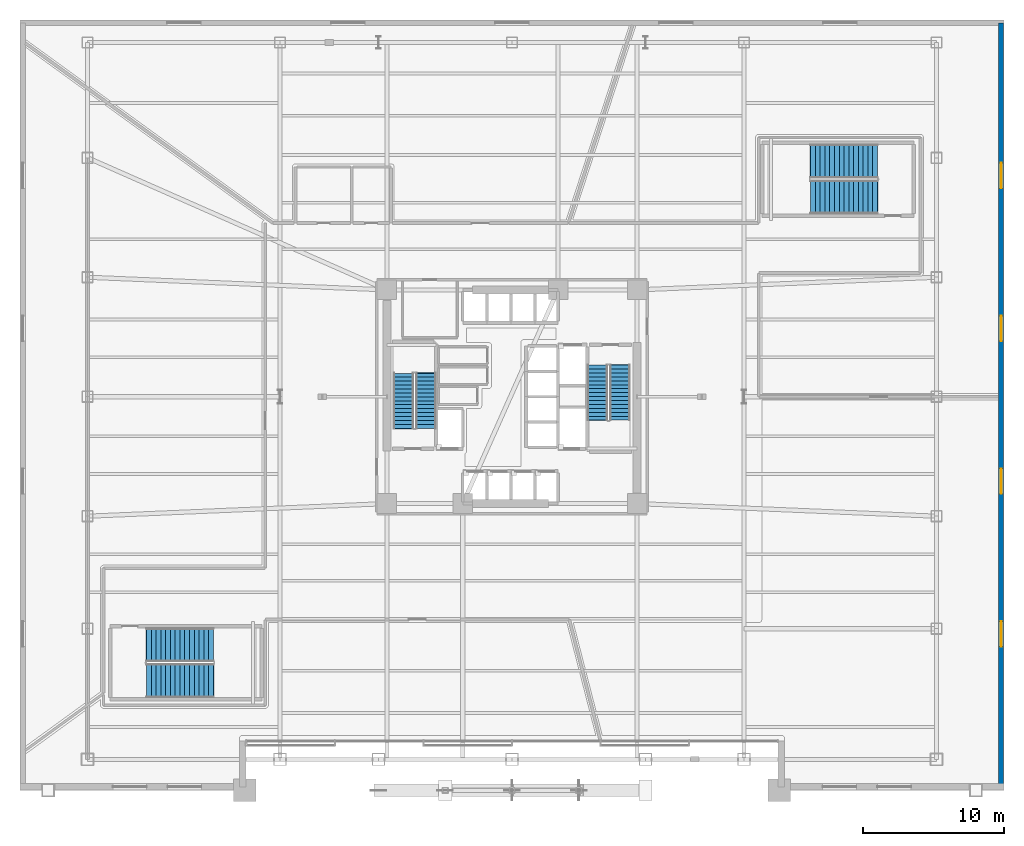
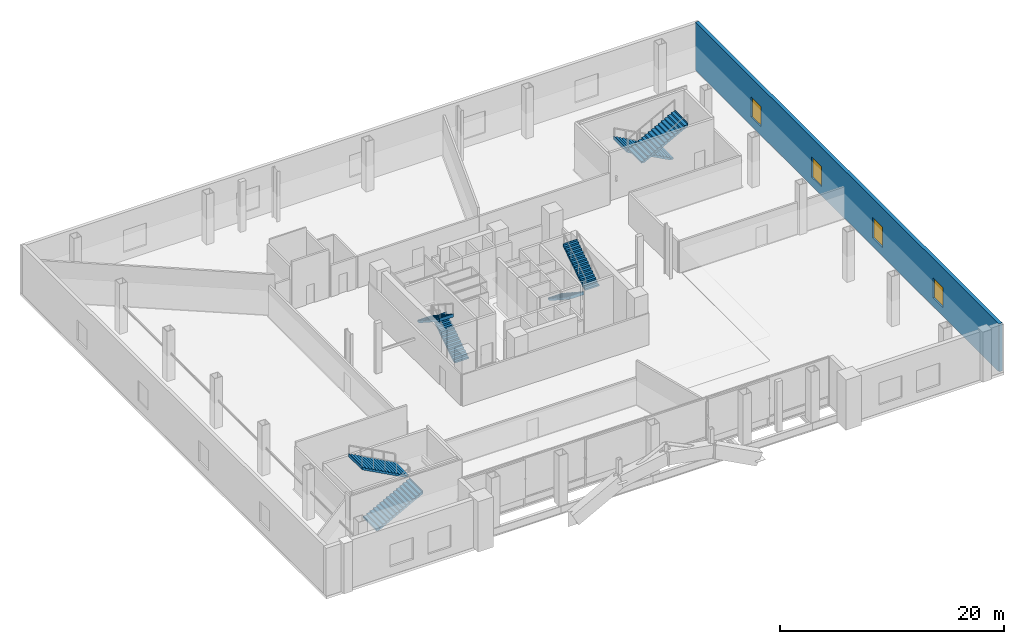
# One storey, part 11 of 19: 8 stair flights, 4 windows, 1 wall, 4 openings, 4 elements without a shape of their own.
"""IFC4 building model written with IfcOpenShell, lengths in metres."""

from ifc_helpers import new_model, si_unit, direction, frame, frame_2d, origin, place, context, subcontext, project, spatial, polyline, rectangle, outline, extrude, material, layer, layer_set, type_object, element, fill, aggregate, save


model = new_model("IFC4")

# Units and contexts
model_context = context("Model", 3, precision=1e-05, world=origin(), true_north=direction((0.0, 1.0)))
body_context = subcontext(model_context, "Body", "Model", "MODEL_VIEW")
ifc_project = project(units=[si_unit("LENGTHUNIT", "METRE"), si_unit("AREAUNIT", "SQUARE_METRE"), si_unit("VOLUMEUNIT", "CUBIC_METRE"), si_unit("PLANEANGLEUNIT", "RADIAN"), si_unit("MASSUNIT", "GRAM", prefix="KILO")], contexts=[model_context])

# Site, building, storey
site_placement = place(None, origin())
site = spatial("IfcSite", under=ifc_project, at=site_placement, CompositionType="ELEMENT")
building_placement = place(site_placement, origin())
building = spatial("IfcBuilding", under=site, at=building_placement, Name="Tharavind Bronze Gate", CompositionType="ELEMENT")
storey_placement = place(building_placement, frame((0.0, 0.0, 11.0)))
storey = spatial("IfcBuildingStorey", under=building, at=storey_placement, Name="L02", CompositionType="ELEMENT", Elevation=11.0)

# Wall, openings, windows
ifc_material_1 = material(Name="Concrete C40/50", Category="concrete")
ifc_layer = layer(ifc_material_1, 0.35009765625)
ifc_layer_set = layer_set([ifc_layer], Name="Concrete C40/50")
wall_type = type_object("IfcWallType", Name="EXTERIOR SPANDREL WALL 350", PredefinedType="STANDARD", material=ifc_layer_set)
wall_placement = place(storey_placement, frame((34.800048828125, -27.75, 0.0), z_axis=(0.0, 0.0, 1.0), x_axis=(0.0, 1.0, 0.0)))
wall = element("IfcWall", 1, at=wall_placement, inside=storey, type_object=wall_type, Name="L02 podium east facade wall", PredefinedType="STANDARD", context=body_context, shape_type="SweptSolid", body=[
    extrude(rectangle(XDim=54.35009765625, YDim=0.35009765625, at=frame_2d((27.175048828125, 0.0))), origin(), (0.0, 0.0, 1.0), 5.239990234375),
])
opening_1_placement = place(wall_placement, frame((9.969970703125, 0.0, 0.949951171875)))
opening_1 = element("IfcOpeningElement", 2, at=opening_1_placement, cuts=wall, Name="Opening W02", PredefinedType="OPENING", context=body_context, shape_type="SweptSolid", body=[
    extrude(rectangle(XDim=1.800048828125, YDim=2.199951171875, at=frame_2d((0.89990234375, 1.10009765625))), frame((0.0, 0.185048828125, 0.0), z_axis=(0.0, -1.0, 0.0), x_axis=(1.0, 0.0, 0.0)), (0.0, 0.0, 1.0), 0.37009765625),
])
opening_2_placement = place(wall_placement, frame((20.840087890625, 0.0, 0.949951171875)))
opening_2 = element("IfcOpeningElement", 3, at=opening_2_placement, cuts=wall, Name="Opening W02", PredefinedType="OPENING", context=body_context, shape_type="SweptSolid", body=[
    extrude(rectangle(XDim=1.800048828125, YDim=2.199951171875, at=frame_2d((0.89990234375, 1.10009765625))), frame((0.0, 0.185048828125, 0.0), z_axis=(0.0, -1.0, 0.0), x_axis=(1.0, 0.0, 0.0)), (0.0, 0.0, 1.0), 0.37009765625),
])
opening_3_placement = place(wall_placement, frame((31.7099609375, 0.0, 0.949951171875)))
opening_3 = element("IfcOpeningElement", 4, at=opening_3_placement, cuts=wall, Name="Opening W02", PredefinedType="OPENING", context=body_context, shape_type="SweptSolid", body=[
    extrude(rectangle(XDim=1.800048828125, YDim=2.199951171875, at=frame_2d((0.89990234375, 1.10009765625))), frame((0.0, 0.185048828125, 0.0), z_axis=(0.0, -1.0, 0.0), x_axis=(1.0, 0.0, 0.0)), (0.0, 0.0, 1.0), 0.37009765625),
])
opening_4_placement = place(wall_placement, frame((42.580078125, 0.0, 0.949951171875)))
opening_4 = element("IfcOpeningElement", 5, at=opening_4_placement, cuts=wall, Name="Opening W02", PredefinedType="OPENING", context=body_context, shape_type="SweptSolid", body=[
    extrude(rectangle(XDim=1.800048828125, YDim=2.199951171875, at=frame_2d((0.89990234375, 1.10009765625))), frame((0.0, 0.185048828125, 0.0), z_axis=(0.0, -1.0, 0.0), x_axis=(1.0, 0.0, 0.0)), (0.0, 0.0, 1.0), 0.37009765625),
])
ifc_material_2 = material(Name="Bronze Aluminium & Low-E Glass", Category="aluminium")
window_type = type_object("IfcWindowType", Name="DOUBLE PANEL BRONZE WINDOW 1800X2200", PartitioningType="DOUBLE_PANEL_VERTICAL", PredefinedType="WINDOW", material=ifc_material_2)
window_1_placement = place(opening_1_placement, origin())
window_1 = element("IfcWindow", 6, at=window_1_placement, inside=storey, type_object=window_type, Name="L02 exterior window WL-L02-EA-01", OverallHeight=2.199951171875, OverallWidth=1.800048828125, PartitioningType="SINGLE_PANEL", PredefinedType="WINDOW", context=body_context, shape_type="SweptSolid", body=[
    extrude(rectangle(XDim=1.800048828125, YDim=2.199951171875, at=frame_2d((0.89990234375, 1.10009765625))), frame((0.0, 0.030029296875, 0.0), z_axis=(0.0, -1.0, 0.0), x_axis=(1.0, 0.0, 0.0)), (0.0, 0.0, 1.0), 0.06005859375),
])
fill(opening_1, window_1)
window_2_placement = place(opening_2_placement, origin())
window_2 = element("IfcWindow", 7, at=window_2_placement, inside=storey, type_object=window_type, Name="L02 exterior window WL-L02-EA-02", OverallHeight=2.199951171875, OverallWidth=1.800048828125, PartitioningType="SINGLE_PANEL", PredefinedType="WINDOW", context=body_context, shape_type="SweptSolid", body=[
    extrude(rectangle(XDim=1.800048828125, YDim=2.199951171875, at=frame_2d((0.89990234375, 1.10009765625))), frame((0.0, 0.030029296875, 0.0), z_axis=(0.0, -1.0, 0.0), x_axis=(1.0, 0.0, 0.0)), (0.0, 0.0, 1.0), 0.06005859375),
])
fill(opening_2, window_2)
window_3_placement = place(opening_3_placement, origin())
window_3 = element("IfcWindow", 8, at=window_3_placement, inside=storey, type_object=window_type, Name="L02 exterior window WL-L02-EA-03", OverallHeight=2.199951171875, OverallWidth=1.800048828125, PartitioningType="SINGLE_PANEL", PredefinedType="WINDOW", context=body_context, shape_type="SweptSolid", body=[
    extrude(rectangle(XDim=1.800048828125, YDim=2.199951171875, at=frame_2d((0.89990234375, 1.10009765625))), frame((0.0, 0.030029296875, 0.0), z_axis=(0.0, -1.0, 0.0), x_axis=(1.0, 0.0, 0.0)), (0.0, 0.0, 1.0), 0.06005859375),
])
fill(opening_3, window_3)
window_4_placement = place(opening_4_placement, origin())
window_4 = element("IfcWindow", 9, at=window_4_placement, inside=storey, type_object=window_type, Name="L02 exterior window WL-L02-EA-04", OverallHeight=2.199951171875, OverallWidth=1.800048828125, PartitioningType="SINGLE_PANEL", PredefinedType="WINDOW", context=body_context, shape_type="SweptSolid", body=[
    extrude(rectangle(XDim=1.800048828125, YDim=2.199951171875, at=frame_2d((0.89990234375, 1.10009765625))), frame((0.0, 0.030029296875, 0.0), z_axis=(0.0, -1.0, 0.0), x_axis=(1.0, 0.0, 0.0)), (0.0, 0.0, 1.0), 0.06005859375),
])
fill(opening_4, window_4)

# Stair, stair flights
stair_type_1 = type_object("IfcStairType", Name="CORE HALF TURN STAIR 1450", PredefinedType="HALF_TURN_STAIR", material=ifc_material_1)
stair_1_placement = place(storey_placement, origin())
stair_1 = element("IfcStair", 10, at=stair_1_placement, inside=storey, type_object=stair_type_1, Name="L02 Protected Exit Stair ST1", PredefinedType="HALF_TURN_STAIR")
stair_flight_type_1 = type_object("IfcStairFlightType", Name="CORE STAIR FLIGHT 1450", PredefinedType="STRAIGHT", material=ifc_material_1)
stair_flight_1_placement = place(storey_placement, frame((-6.125, -2.25, 0.0), z_axis=(0.0, 0.0, 1.0), x_axis=(0.0, 1.0, 0.0)))
stair_flight_1 = element("IfcStairFlight", 11, at=stair_flight_1_placement, type_object=stair_flight_type_1, Name="ST1 flight 1", NumberOfRisers=15, NumberOfTreads=14, PredefinedType="STRAIGHT", RiserHeight=0.183333333, TreadLength=0.28, context=body_context, shape_type="SweptSolid", body=[
    extrude(outline(polyline([(0.0, 0.0), (0.0, 0.183349609375), (0.280029296875, 0.183349609375), (0.280029296875, 0.36669921875), (0.56005859375, 0.36669921875), (0.56005859375, 0.550048828125), (0.840087890625, 0.550048828125), (0.840087890625, 0.7333984375), (1.1201171875, 0.7333984375), (1.1201171875, 0.916748046875), (1.39990234375, 0.916748046875), (1.39990234375, 1.10009765625), (1.679931640625, 1.10009765625), (1.679931640625, 1.283447265625), (1.9599609375, 1.283447265625), (1.9599609375, 1.466552734375), (2.239990234375, 1.466552734375), (2.239990234375, 1.64990234375), (2.52001953125, 1.64990234375), (2.52001953125, 1.833251953125), (2.800048828125, 1.833251953125), (2.800048828125, 2.0166015625), (3.080078125, 2.0166015625), (3.080078125, 2.199951171875), (3.360107421875, 2.199951171875), (3.360107421875, 2.38330078125), (3.639892578125, 2.38330078125), (3.639892578125, 2.566650390625), (3.919921875, 2.566650390625), (3.919921875, 2.75), (3.9560546875, 2.75), (3.9560546875, 2.387451171875), (0.273681640625, 0.0), (0.0, 0.0)])), frame((0.0, 0.72509765625, 0.0), z_axis=(0.0, -1.0, 0.0), x_axis=(1.0, 0.0, 0.0)), (0.0, 0.0, 1.0), 1.449951171875),
])
stair_flight_2_placement = place(storey_placement, frame((-7.72509765625, 1.669921875, 2.75), z_axis=(0.0, 0.0, 1.0), x_axis=(0.0, -1.0, 0.0)))
stair_flight_2 = element("IfcStairFlight", 12, at=stair_flight_2_placement, type_object=stair_flight_type_1, Name="ST1 flight 2", NumberOfRisers=15, NumberOfTreads=14, PredefinedType="STRAIGHT", RiserHeight=0.183333333, TreadLength=0.28, context=body_context, shape_type="SweptSolid", body=[
    extrude(outline(polyline([(0.0, 0.0), (0.0, 0.183349609375), (0.280029296875, 0.183349609375), (0.280029296875, 0.36669921875), (0.56005859375, 0.36669921875), (0.56005859375, 0.550048828125), (0.840087890625, 0.550048828125), (0.840087890625, 0.7333984375), (1.1201171875, 0.7333984375), (1.1201171875, 0.916748046875), (1.39990234375, 0.916748046875), (1.39990234375, 1.10009765625), (1.679931640625, 1.10009765625), (1.679931640625, 1.283447265625), (1.9599609375, 1.283447265625), (1.9599609375, 1.466552734375), (2.239990234375, 1.466552734375), (2.239990234375, 1.64990234375), (2.52001953125, 1.64990234375), (2.52001953125, 1.833251953125), (2.800048828125, 1.833251953125), (2.800048828125, 2.0166015625), (3.080078125, 2.0166015625), (3.080078125, 2.199951171875), (3.360107421875, 2.199951171875), (3.360107421875, 2.38330078125), (3.639892578125, 2.38330078125), (3.639892578125, 2.566650390625), (3.919921875, 2.566650390625), (3.919921875, 2.75), (3.9560546875, 2.75), (3.9560546875, 2.387451171875), (0.273681640625, 0.0), (0.0, 0.0)])), frame((0.0, 0.72509765625, 0.0), z_axis=(0.0, -1.0, 0.0), x_axis=(1.0, 0.0, 0.0)), (0.0, 0.0, 1.0), 1.449951171875),
])
aggregate(stair_1, [stair_flight_1, stair_flight_2])

stair_2_placement = place(storey_placement, origin())
stair_2 = element("IfcStair", 13, at=stair_2_placement, inside=storey, type_object=stair_type_1, Name="L02 Protected Exit Stair ST2", PredefinedType="HALF_TURN_STAIR")
stair_flight_3_placement = place(storey_placement, frame((6.074951171875, 2.25, 0.0), z_axis=(0.0, 0.0, 1.0), x_axis=(0.0, -1.0, 0.0)))
stair_flight_3 = element("IfcStairFlight", 14, at=stair_flight_3_placement, type_object=stair_flight_type_1, Name="ST2 flight 1", NumberOfRisers=15, NumberOfTreads=14, PredefinedType="STRAIGHT", RiserHeight=0.183333333, TreadLength=0.28, context=body_context, shape_type="SweptSolid", body=[
    extrude(outline(polyline([(0.0, 0.0), (0.0, 0.183349609375), (0.280029296875, 0.183349609375), (0.280029296875, 0.36669921875), (0.56005859375, 0.36669921875), (0.56005859375, 0.550048828125), (0.840087890625, 0.550048828125), (0.840087890625, 0.7333984375), (1.1201171875, 0.7333984375), (1.1201171875, 0.916748046875), (1.39990234375, 0.916748046875), (1.39990234375, 1.10009765625), (1.679931640625, 1.10009765625), (1.679931640625, 1.283447265625), (1.9599609375, 1.283447265625), (1.9599609375, 1.466552734375), (2.239990234375, 1.466552734375), (2.239990234375, 1.64990234375), (2.52001953125, 1.64990234375), (2.52001953125, 1.833251953125), (2.800048828125, 1.833251953125), (2.800048828125, 2.0166015625), (3.080078125, 2.0166015625), (3.080078125, 2.199951171875), (3.360107421875, 2.199951171875), (3.360107421875, 2.38330078125), (3.639892578125, 2.38330078125), (3.639892578125, 2.566650390625), (3.919921875, 2.566650390625), (3.919921875, 2.75), (3.9560546875, 2.75), (3.9560546875, 2.387451171875), (0.273681640625, 0.0), (0.0, 0.0)])), frame((0.0, 0.72509765625, 0.0), z_axis=(0.0, -1.0, 0.0), x_axis=(1.0, 0.0, 0.0)), (0.0, 0.0, 1.0), 1.449951171875),
])
stair_flight_4_placement = place(storey_placement, frame((7.675048828125, -1.669921875, 2.75), z_axis=(0.0, 0.0, 1.0), x_axis=(0.0, 1.0, 0.0)))
stair_flight_4 = element("IfcStairFlight", 15, at=stair_flight_4_placement, type_object=stair_flight_type_1, Name="ST2 flight 2", NumberOfRisers=15, NumberOfTreads=14, PredefinedType="STRAIGHT", RiserHeight=0.183333333, TreadLength=0.28, context=body_context, shape_type="SweptSolid", body=[
    extrude(outline(polyline([(0.0, 0.0), (0.0, 0.183349609375), (0.280029296875, 0.183349609375), (0.280029296875, 0.36669921875), (0.56005859375, 0.36669921875), (0.56005859375, 0.550048828125), (0.840087890625, 0.550048828125), (0.840087890625, 0.7333984375), (1.1201171875, 0.7333984375), (1.1201171875, 0.916748046875), (1.39990234375, 0.916748046875), (1.39990234375, 1.10009765625), (1.679931640625, 1.10009765625), (1.679931640625, 1.283447265625), (1.9599609375, 1.283447265625), (1.9599609375, 1.466552734375), (2.239990234375, 1.466552734375), (2.239990234375, 1.64990234375), (2.52001953125, 1.64990234375), (2.52001953125, 1.833251953125), (2.800048828125, 1.833251953125), (2.800048828125, 2.0166015625), (3.080078125, 2.0166015625), (3.080078125, 2.199951171875), (3.360107421875, 2.199951171875), (3.360107421875, 2.38330078125), (3.639892578125, 2.38330078125), (3.639892578125, 2.566650390625), (3.919921875, 2.566650390625), (3.919921875, 2.75), (3.9560546875, 2.75), (3.9560546875, 2.387451171875), (0.273681640625, 0.0), (0.0, 0.0)])), frame((0.0, 0.72509765625, 0.0), z_axis=(0.0, -1.0, 0.0), x_axis=(1.0, 0.0, 0.0)), (0.0, 0.0, 1.0), 1.449951171875),
])
aggregate(stair_2, [stair_flight_3, stair_flight_4])

stair_type_2 = type_object("IfcStairType", Name="PODIUM HALF TURN STAIR 2400", PredefinedType="HALF_TURN_STAIR", material=ifc_material_1)
stair_3_placement = place(storey_placement, origin())
stair_3 = element("IfcStair", 16, at=stair_3_placement, inside=storey, type_object=stair_type_2, Name="L02 Protected Exit Stair ST3", PredefinedType="HALF_TURN_STAIR")
stair_flight_type_2 = type_object("IfcStairFlightType", Name="PODIUM STAIR FLIGHT 2400", PredefinedType="STRAIGHT", material=ifc_material_1)
stair_flight_5_placement = place(storey_placement, frame((-26.0, -20.199951171875, 0.0), z_axis=(0.0, 0.0, 1.0), x_axis=(1.0, 0.0, 0.0)))
stair_flight_5 = element("IfcStairFlight", 17, at=stair_flight_5_placement, type_object=stair_flight_type_2, Name="ST3 flight 1", NumberOfRisers=15, NumberOfTreads=14, PredefinedType="STRAIGHT", RiserHeight=0.183333333, TreadLength=0.34, context=body_context, shape_type="SweptSolid", body=[
    extrude(outline(polyline([(0.0, 0.0), (0.0, 0.183349609375), (0.340087890625, 0.183349609375), (0.340087890625, 0.36669921875), (0.679931640625, 0.36669921875), (0.679931640625, 0.550048828125), (1.02001953125, 0.550048828125), (1.02001953125, 0.7333984375), (1.360107421875, 0.7333984375), (1.360107421875, 0.916748046875), (1.699951171875, 0.916748046875), (1.699951171875, 1.10009765625), (2.0400390625, 1.10009765625), (2.0400390625, 1.283447265625), (2.3798828125, 1.283447265625), (2.3798828125, 1.466552734375), (2.719970703125, 1.466552734375), (2.719970703125, 1.64990234375), (3.06005859375, 1.64990234375), (3.06005859375, 1.833251953125), (3.39990234375, 1.833251953125), (3.39990234375, 2.0166015625), (3.739990234375, 2.0166015625), (3.739990234375, 2.199951171875), (4.080078125, 2.199951171875), (4.080078125, 2.38330078125), (4.419921875, 2.38330078125), (4.419921875, 2.566650390625), (4.760009765625, 2.566650390625), (4.760009765625, 2.75), (4.7958984375, 2.75), (4.7958984375, 2.396240234375), (0.31591796875, 0.0), (0.0, 0.0)])), frame((0.0, 1.199951171875, 0.0), z_axis=(0.0, -1.0, 0.0), x_axis=(1.0, 0.0, 0.0)), (0.0, 0.0, 1.0), 2.39990234375),
])
stair_flight_6_placement = place(storey_placement, frame((-21.239990234375, -17.64990234375, 2.75), z_axis=(0.0, 0.0, 1.0), x_axis=(-1.0, 0.0, 0.0)))
stair_flight_6 = element("IfcStairFlight", 18, at=stair_flight_6_placement, type_object=stair_flight_type_2, Name="ST3 flight 2", NumberOfRisers=15, NumberOfTreads=14, PredefinedType="STRAIGHT", RiserHeight=0.183333333, TreadLength=0.34, context=body_context, shape_type="SweptSolid", body=[
    extrude(outline(polyline([(0.0, 0.0), (0.0, 0.183349609375), (0.340087890625, 0.183349609375), (0.340087890625, 0.36669921875), (0.679931640625, 0.36669921875), (0.679931640625, 0.550048828125), (1.02001953125, 0.550048828125), (1.02001953125, 0.7333984375), (1.360107421875, 0.7333984375), (1.360107421875, 0.916748046875), (1.699951171875, 0.916748046875), (1.699951171875, 1.10009765625), (2.0400390625, 1.10009765625), (2.0400390625, 1.283447265625), (2.3798828125, 1.283447265625), (2.3798828125, 1.466552734375), (2.719970703125, 1.466552734375), (2.719970703125, 1.64990234375), (3.06005859375, 1.64990234375), (3.06005859375, 1.833251953125), (3.39990234375, 1.833251953125), (3.39990234375, 2.0166015625), (3.739990234375, 2.0166015625), (3.739990234375, 2.199951171875), (4.080078125, 2.199951171875), (4.080078125, 2.38330078125), (4.419921875, 2.38330078125), (4.419921875, 2.566650390625), (4.760009765625, 2.566650390625), (4.760009765625, 2.75), (4.7958984375, 2.75), (4.7958984375, 2.396240234375), (0.31591796875, 0.0), (0.0, 0.0)])), frame((0.0, 1.199951171875, 0.0), z_axis=(0.0, -1.0, 0.0), x_axis=(1.0, 0.0, 0.0)), (0.0, 0.0, 1.0), 2.39990234375),
])
aggregate(stair_3, [stair_flight_5, stair_flight_6])

stair_4_placement = place(storey_placement, origin())
stair_4 = element("IfcStair", 19, at=stair_4_placement, inside=storey, type_object=stair_type_2, Name="L02 Protected Exit Stair ST4", PredefinedType="HALF_TURN_STAIR")
stair_flight_7_placement = place(storey_placement, frame((26.0, 16.75, 0.0), z_axis=(0.0, 0.0, 1.0), x_axis=(-1.0, 0.0, 0.0)))
stair_flight_7 = element("IfcStairFlight", 20, at=stair_flight_7_placement, type_object=stair_flight_type_2, Name="ST4 flight 1", NumberOfRisers=15, NumberOfTreads=14, PredefinedType="STRAIGHT", RiserHeight=0.183333333, TreadLength=0.34, context=body_context, shape_type="SweptSolid", body=[
    extrude(outline(polyline([(0.0, 0.0), (0.0, 0.183349609375), (0.340087890625, 0.183349609375), (0.340087890625, 0.36669921875), (0.679931640625, 0.36669921875), (0.679931640625, 0.550048828125), (1.02001953125, 0.550048828125), (1.02001953125, 0.7333984375), (1.360107421875, 0.7333984375), (1.360107421875, 0.916748046875), (1.699951171875, 0.916748046875), (1.699951171875, 1.10009765625), (2.0400390625, 1.10009765625), (2.0400390625, 1.283447265625), (2.3798828125, 1.283447265625), (2.3798828125, 1.466552734375), (2.719970703125, 1.466552734375), (2.719970703125, 1.64990234375), (3.06005859375, 1.64990234375), (3.06005859375, 1.833251953125), (3.39990234375, 1.833251953125), (3.39990234375, 2.0166015625), (3.739990234375, 2.0166015625), (3.739990234375, 2.199951171875), (4.080078125, 2.199951171875), (4.080078125, 2.38330078125), (4.419921875, 2.38330078125), (4.419921875, 2.566650390625), (4.760009765625, 2.566650390625), (4.760009765625, 2.75), (4.7958984375, 2.75), (4.7958984375, 2.396240234375), (0.31591796875, 0.0), (0.0, 0.0)])), frame((0.0, 1.199951171875, 0.0), z_axis=(0.0, -1.0, 0.0), x_axis=(1.0, 0.0, 0.0)), (0.0, 0.0, 1.0), 2.39990234375),
])
stair_flight_8_placement = place(storey_placement, frame((21.239990234375, 14.199951171875, 2.75), z_axis=(0.0, 0.0, 1.0), x_axis=(1.0, 0.0, 0.0)))
stair_flight_8 = element("IfcStairFlight", 21, at=stair_flight_8_placement, type_object=stair_flight_type_2, Name="ST4 flight 2", NumberOfRisers=15, NumberOfTreads=14, PredefinedType="STRAIGHT", RiserHeight=0.183333333, TreadLength=0.34, context=body_context, shape_type="SweptSolid", body=[
    extrude(outline(polyline([(0.0, 0.0), (0.0, 0.183349609375), (0.340087890625, 0.183349609375), (0.340087890625, 0.36669921875), (0.679931640625, 0.36669921875), (0.679931640625, 0.550048828125), (1.02001953125, 0.550048828125), (1.02001953125, 0.7333984375), (1.360107421875, 0.7333984375), (1.360107421875, 0.916748046875), (1.699951171875, 0.916748046875), (1.699951171875, 1.10009765625), (2.0400390625, 1.10009765625), (2.0400390625, 1.283447265625), (2.3798828125, 1.283447265625), (2.3798828125, 1.466552734375), (2.719970703125, 1.466552734375), (2.719970703125, 1.64990234375), (3.06005859375, 1.64990234375), (3.06005859375, 1.833251953125), (3.39990234375, 1.833251953125), (3.39990234375, 2.0166015625), (3.739990234375, 2.0166015625), (3.739990234375, 2.199951171875), (4.080078125, 2.199951171875), (4.080078125, 2.38330078125), (4.419921875, 2.38330078125), (4.419921875, 2.566650390625), (4.760009765625, 2.566650390625), (4.760009765625, 2.75), (4.7958984375, 2.75), (4.7958984375, 2.396240234375), (0.31591796875, 0.0), (0.0, 0.0)])), frame((0.0, 1.199951171875, 0.0), z_axis=(0.0, -1.0, 0.0), x_axis=(1.0, 0.0, 0.0)), (0.0, 0.0, 1.0), 2.39990234375),
])
aggregate(stair_4, [stair_flight_7, stair_flight_8])

save(model, "model.ifc")
